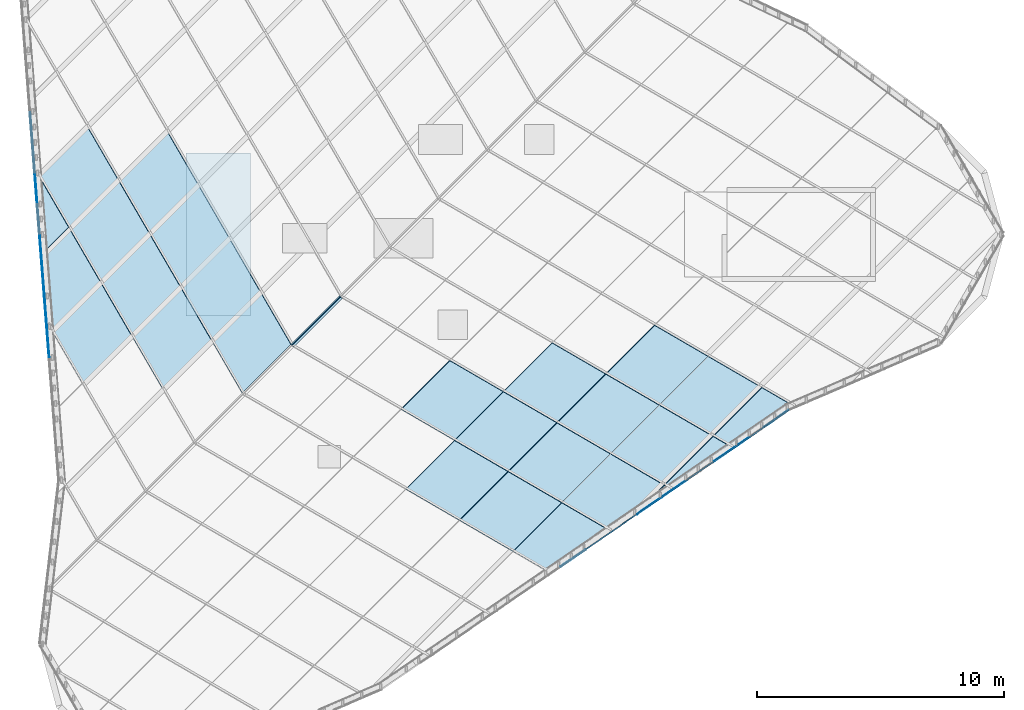
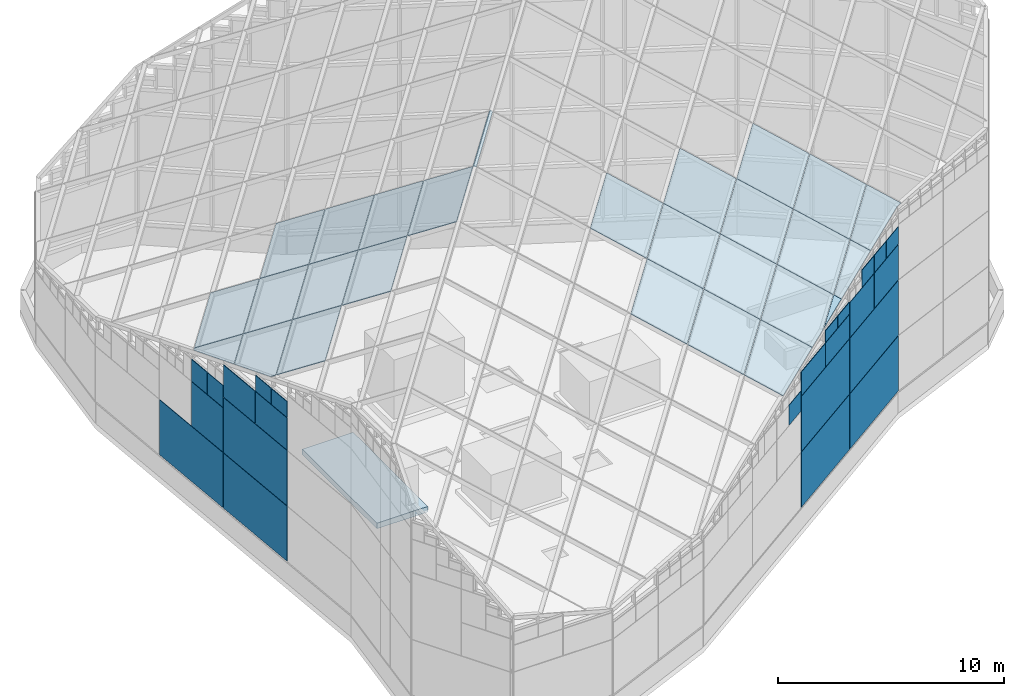
# One storey, part 16 of 29: 52 plates, 1 slab, 1 element without a shape of its own.
"""IFC4 building model written with IfcOpenShell, lengths in metres."""

from ifc_helpers import new_model, si_unit, direction, frame, origin, place, context, subcontext, project, spatial, polyline, outline, extrude, material, layer, layer_set, type_object, element, aggregate, save


model = new_model("IFC4")

# Units and contexts
model_context = context("Model", 3, precision=1e-05, world=origin(), true_north=direction((0.0, 1.0)))
body_context = subcontext(model_context, "Body", "Model", "MODEL_VIEW")
ifc_project = project(units=[si_unit("LENGTHUNIT", "METRE"), si_unit("AREAUNIT", "SQUARE_METRE"), si_unit("VOLUMEUNIT", "CUBIC_METRE"), si_unit("PLANEANGLEUNIT", "RADIAN"), si_unit("MASSUNIT", "GRAM", prefix="KILO")], contexts=[model_context])

# Site, building, storey
site_placement = place(None, origin())
site = spatial("IfcSite", under=ifc_project, at=site_placement, CompositionType="ELEMENT")
building_placement = place(site_placement, origin())
building = spatial("IfcBuilding", under=site, at=building_placement, Name="Tanit Gate Tower", CompositionType="ELEMENT")
storey_placement = place(building_placement, frame((0.0, 0.0, 445.300048828125)))
storey = spatial("IfcBuildingStorey", under=building, at=storey_placement, Name="ROOF", CompositionType="ELEMENT", Elevation=445.300048828125)

# Slab
ifc_material_1 = material(Name="Concrete C30/37", Category="concrete")
ifc_layer_1 = layer(ifc_material_1, 0.300048828125)
ifc_layer_set_1 = layer_set([ifc_layer_1], Name="EQUIPMENT PLINTH 300 C30/37")
slab_type = type_object("IfcSlabType", Name="EQUIPMENT PLINTH 300 C30/37", PredefinedType="USERDEFINED", material=ifc_layer_set_1)
slab_placement = place(storey_placement, origin())
element("IfcSlab", 1, at=slab_placement, inside=storey, type_object=slab_type, Name="Cradle plinth", ObjectType="EQUIPMENT PLINTH", PredefinedType="USERDEFINED", context=body_context, shape_type="SweptSolid", body=[
    extrude(outline(polyline([(-8.800048828125, -3.300048828125), (-6.199951171875, -3.300048828125), (-6.199951171875, 3.300048828125), (-8.800048828125, 3.300048828125), (-8.800048828125, -3.300048828125)])), origin(), (0.0, 0.0, 1.0), 0.300048828125),
])

# Curtain wall, plates
ifc_material_2 = material(Name="Aluminium bronze anodised and glass", Category="aluminium")
curtain_wall_type = type_object("IfcCurtainWallType", Name="Curtain wall crown roof", PredefinedType="NOTDEFINED", material=ifc_material_2)
curtain_wall_placement = place(storey_placement, origin())
curtain_wall = element("IfcCurtainWall", 2, at=curtain_wall_placement, inside=storey, type_object=curtain_wall_type, Name="Crown lantern", PredefinedType="NOTDEFINED")
ifc_material_3 = material(Name="Glass tinted laminated safety", Category="glass")
ifc_layer_2 = layer(ifc_material_3, 0.033935546875)
ifc_layer_set_2 = layer_set([ifc_layer_2], Name="Glass panel 34 crown roof")
plate_type = type_object("IfcPlateType", Name="Glass panel 34 crown roof", PredefinedType="CURTAIN_PANEL", material=ifc_layer_set_2)
plate_1_placement = place(storey_placement, frame((-15.13427734375, 4.94873046875, 1.21484375), z_axis=(-0.996969360994, -0.077795200619, 0.0), x_axis=(0.077795200619, -0.996969360994, 0.0)))
plate_1 = element("IfcPlate", 3, at=plate_1_placement, type_object=plate_type, Name="Lantern clerestory glass 15.1.1", PredefinedType="CURTAIN_PANEL", context=body_context, shape_type="SweptSolid", body=[
    extrude(outline(polyline([(0.0, 0.0), (4.961569930487475, 0.0), (4.961569930487475, 2.9702148437500004), (0.0, 2.9702148437500004), (0.0, 0.0)])), origin(), (0.0, 0.0, -1.0), 0.033935546875),
])
plate_2_placement = place(storey_placement, frame((-14.940185546875, 2.46044921875, 4.21484375), z_axis=(-0.996967064804, -0.077824621406, 0.0), x_axis=(0.077824621406, -0.996967064804, 0.0)))
plate_2 = element("IfcPlate", 4, at=plate_2_placement, type_object=plate_type, Name="Lantern clerestory glass 15.2.6", PredefinedType="CURTAIN_PANEL", context=body_context, shape_type="SweptSolid", body=[
    extrude(outline(polyline([(0.0, 0.0), (2.465730353499047, 0.0), (2.465730353499047, 2.384521484375), (0.0, 2.384521484375), (0.0, 0.0)])), origin(), (0.0, 0.0, -1.0), 0.033935546875),
])
plate_3_placement = place(storey_placement, frame((-14.940185546875, 2.46044921875, 6.62939453125), z_axis=(-0.996954596423, -0.077984182186, 0.0), x_axis=(0.077984182186, -0.996954596423, 0.0)))
plate_3 = element("IfcPlate", 5, at=plate_3_placement, type_object=plate_type, Name="Lantern clerestory glass 15.2.7", PredefinedType="CURTAIN_PANEL", context=body_context, shape_type="SweptSolid", body=[
    extrude(outline(polyline([(0.0, 0.0), (1.2178200817581835, 0.0), (1.2178200817581835, 1.1772460937499998), (0.0, 1.1772460937499998), (0.0, 0.0)])), origin(), (0.0, 0.0, -1.0), 0.033935546875),
])
plate_4_placement = place(storey_placement, frame((-14.843017578125, 1.21630859375, 6.62939453125), z_axis=(-0.996970162903, -0.077784923227, 0.0), x_axis=(0.077784923227, -0.996970162903, 0.0)))
plate_4 = element("IfcPlate", 6, at=plate_4_placement, type_object=plate_type, Name="Lantern clerestory glass 15.2.8", PredefinedType="CURTAIN_PANEL", context=body_context, shape_type="SweptSolid", body=[
    extrude(outline(polyline([(0.0, 0.0), (1.217801066974618, 0.0), (1.217801066974618, 1.17724609375), (0.0, 1.17724609375), (0.0, 0.0)])), origin(), (0.0, 0.0, -1.0), 0.033935546875),
])
plate_5_placement = place(storey_placement, frame((-14.745849609375, -0.02783203125, 1.21484375), z_axis=(-0.996965245198, -0.077847927833, 0.0), x_axis=(0.077847927833, -0.996965245198, 0.0)))
plate_5 = element("IfcPlate", 7, at=plate_5_placement, type_object=plate_type, Name="Lantern clerestory glass 16.1.1", PredefinedType="CURTAIN_PANEL", context=body_context, shape_type="SweptSolid", body=[
    extrude(outline(polyline([(0.0, 0.0), (4.961345529672165, 0.0), (4.961345529672165, 2.9702148437500004), (0.0, 2.9702148437500004), (0.0, 0.0)])), origin(), (0.0, 0.0, -1.0), 0.033935546875),
])
plate_6_placement = place(storey_placement, frame((-14.745849609375, -0.02783203125, 4.21484375), z_axis=(-0.996965245198, -0.077847927833, 0.0), x_axis=(0.077847927833, -0.996965245198, 0.0)))
plate_6 = element("IfcPlate", 8, at=plate_6_placement, type_object=plate_type, Name="Lantern clerestory glass 16.2.1", PredefinedType="CURTAIN_PANEL", context=body_context, shape_type="SweptSolid", body=[
    extrude(outline(polyline([(0.0, 0.0), (4.961345529672165, 0.0), (4.961345529672165, 2.9702148437500004), (0.0, 2.9702148437500004), (0.0, 0.0)])), origin(), (0.0, 0.0, -1.0), 0.033935546875),
])
plate_7_placement = place(storey_placement, frame((-14.745849609375, -0.02783203125, 7.21484375), z_axis=(-0.996967064804, -0.077824621406, 0.0), x_axis=(0.077824621406, -0.996967064804, 0.0)))
plate_7 = element("IfcPlate", 9, at=plate_7_placement, type_object=plate_type, Name="Lantern clerestory glass 16.3.1", PredefinedType="CURTAIN_PANEL", context=body_context, shape_type="SweptSolid", body=[
    extrude(outline(polyline([(0.0, 0.0), (2.465730353499047, 0.0), (2.465730353499047, 1.731201171875), (0.0, 1.731201171875), (0.0, 0.0)])), origin(), (0.0, 0.0, -1.0), 0.033935546875),
])
plate_8_placement = place(storey_placement, frame((-14.551513671875, -2.515869140625, 7.21484375), z_axis=(-0.996967064804, -0.077824621406, 0.0), x_axis=(0.077824621406, -0.996967064804, 0.0)))
plate_8 = element("IfcPlate", 10, at=plate_8_placement, type_object=plate_type, Name="Lantern clerestory glass 16.3.2", PredefinedType="CURTAIN_PANEL", context=body_context, shape_type="SweptSolid", body=[
    extrude(outline(polyline([(0.0, 0.0), (2.465730353499047, 0.0), (2.465730353499047, 1.731201171875), (0.0, 1.731201171875), (0.0, 0.0)])), origin(), (0.0, 0.0, -1.0), 0.033935546875),
])
plate_9_placement = place(storey_placement, frame((-14.551513671875, -2.515869140625, 8.97607421875), z_axis=(-0.996971375522, -0.077769379514, 0.0), x_axis=(0.077769379514, -0.996971375522, 0.0)))
plate_9 = element("IfcPlate", 11, at=plate_9_placement, type_object=plate_type, Name="Lantern clerestory glass 16.3.3", PredefinedType="CURTAIN_PANEL", context=body_context, shape_type="SweptSolid", body=[
    extrude(outline(polyline([(0.0, 0.0), (1.218044468041335, 0.0), (1.218044468041335, 0.8505859375), (0.0, 0.8505859375), (0.0, 0.0)])), origin(), (0.0, 0.0, -1.0), 0.033935546875),
])
plate_10_placement = place(storey_placement, frame((-14.454345703125, -3.760009765625, 8.97607421875), z_axis=(-0.996970162903, -0.077784923227, 0.0), x_axis=(0.077784923227, -0.996970162903, 0.0)))
plate_10 = element("IfcPlate", 12, at=plate_10_placement, type_object=plate_type, Name="Lantern clerestory glass 16.3.4", PredefinedType="CURTAIN_PANEL", context=body_context, shape_type="SweptSolid", body=[
    extrude(outline(polyline([(0.0, 0.0), (1.217801066974618, 0.0), (1.217801066974618, 0.8505859375000002), (0.0, 0.8505859375000002), (0.0, 0.0)])), origin(), (0.0, 0.0, -1.0), 0.033935546875),
])
plate_11_placement = place(storey_placement, frame((6.3681640625, -13.462646484375, 6.4345703125), z_axis=(0.565890593096, -0.824480343395, 0.0), x_axis=(0.824480343395, 0.565890593096, 0.0)))
plate_11 = element("IfcPlate", 13, at=plate_11_placement, type_object=plate_type, Name="Lantern clerestory glass 26.2.8", PredefinedType="CURTAIN_PANEL", context=body_context, shape_type="SweptSolid", body=[
    extrude(outline(polyline([(0.0, 0.0), (1.2179191398182225, 0.0), (1.2179191398182225, 1.079833984375), (0.0, 1.079833984375), (0.0, 0.0)])), origin(), (0.0, 0.0, -1.0), 0.033935546875),
])
plate_12_placement = place(storey_placement, frame((7.39697265625, -12.75634765625, 1.21484375), z_axis=(0.565891691017, -0.824479589825, 0.0), x_axis=(0.824479589825, 0.565891691017, 0.0)))
plate_12 = element("IfcPlate", 14, at=plate_12_placement, type_object=plate_type, Name="Lantern clerestory glass 27.1.1", PredefinedType="CURTAIN_PANEL", context=body_context, shape_type="SweptSolid", body=[
    extrude(outline(polyline([(0.0, 0.0), (4.961403802297989, 0.0), (4.961403802297989, 2.97021484375), (0.0, 2.97021484375), (0.0, 0.0)])), origin(), (0.0, 0.0, -1.0), 0.033935546875),
])
plate_13_placement = place(storey_placement, frame((7.39697265625, -12.75634765625, 4.21484375), z_axis=(0.565891691017, -0.824479589825, 0.0), x_axis=(0.824479589825, 0.565891691017, 0.0)))
plate_13 = element("IfcPlate", 15, at=plate_13_placement, type_object=plate_type, Name="Lantern clerestory glass 27.2.1", PredefinedType="CURTAIN_PANEL", context=body_context, shape_type="SweptSolid", body=[
    extrude(outline(polyline([(0.0, 0.0), (4.961403802297989, 0.0), (4.961403802297989, 2.97021484375), (0.0, 2.97021484375), (0.0, 0.0)])), origin(), (0.0, 0.0, -1.0), 0.033935546875),
])
plate_14_placement = place(storey_placement, frame((7.39697265625, -12.75634765625, 7.21484375), z_axis=(0.565868893636, -0.824495236624, 0.0), x_axis=(0.824495236624, 0.565868893636, 0.0)))
plate_14 = element("IfcPlate", 16, at=plate_14_placement, type_object=plate_type, Name="Lantern clerestory glass 27.3.1", PredefinedType="CURTAIN_PANEL", context=body_context, shape_type="SweptSolid", body=[
    extrude(outline(polyline([(0.0, 0.0), (2.4657013092029496, 0.0), (2.4657013092029496, 1.294189453125), (0.0, 1.294189453125), (0.0, 0.0)])), origin(), (0.0, 0.0, -1.0), 0.033935546875),
])
plate_15_placement = place(storey_placement, frame((9.45458984375, -11.343994140625, 7.21484375), z_axis=(0.565868893636, -0.824495236624, 0.0), x_axis=(0.824495236624, 0.565868893636, 0.0)))
plate_15 = element("IfcPlate", 17, at=plate_15_placement, type_object=plate_type, Name="Lantern clerestory glass 27.3.2", PredefinedType="CURTAIN_PANEL", context=body_context, shape_type="SweptSolid", body=[
    extrude(outline(polyline([(0.0, 0.0), (2.4657013092029496, 0.0), (2.4657013092029496, 1.294189453125), (0.0, 1.294189453125), (0.0, 0.0)])), origin(), (0.0, 0.0, -1.0), 0.033935546875),
])
plate_16_placement = place(storey_placement, frame((9.45458984375, -11.343994140625, 8.5390625), z_axis=(0.565890593096, -0.824480343395, 0.0), x_axis=(0.824480343395, 0.565890593096, 0.0)))
plate_16 = element("IfcPlate", 18, at=plate_16_placement, type_object=plate_type, Name="Lantern clerestory glass 27.3.3", PredefinedType="CURTAIN_PANEL", context=body_context, shape_type="SweptSolid", body=[
    extrude(outline(polyline([(0.0, 0.0), (1.2179191398182225, 0.0), (1.2179191398182225, 0.632080078125), (0.0, 0.632080078125), (0.0, 0.0)])), origin(), (0.0, 0.0, -1.0), 0.033935546875),
])
plate_17_placement = place(storey_placement, frame((10.4833984375, -10.637939453125, 8.5390625), z_axis=(0.565890593096, -0.824480343395, 0.0), x_axis=(0.824480343395, 0.565890593096, 0.0)))
plate_17 = element("IfcPlate", 19, at=plate_17_placement, type_object=plate_type, Name="Lantern clerestory glass 27.3.4", PredefinedType="CURTAIN_PANEL", context=body_context, shape_type="SweptSolid", body=[
    extrude(outline(polyline([(0.0, 0.0), (1.2179191398182225, 0.0), (1.2179191398182225, 0.632080078125), (0.0, 0.632080078125), (0.0, 0.0)])), origin(), (0.0, 0.0, -1.0), 0.033935546875),
])
plate_18_placement = place(storey_placement, frame((11.512451171875, -9.931640625, 1.21484375), z_axis=(0.565891691017, -0.824479589825, 0.0), x_axis=(0.824479589825, 0.565891691017, 0.0)))
plate_18 = element("IfcPlate", 20, at=plate_18_placement, type_object=plate_type, Name="Lantern clerestory glass 28.1.1", PredefinedType="CURTAIN_PANEL", context=body_context, shape_type="SweptSolid", body=[
    extrude(outline(polyline([(0.0, 0.0), (4.961403802297989, 0.0), (4.961403802297989, 2.97021484375), (0.0, 2.97021484375), (0.0, 0.0)])), origin(), (0.0, 0.0, -1.0), 0.033935546875),
])
plate_19_placement = place(storey_placement, frame((11.512451171875, -9.931640625, 4.21484375), z_axis=(0.565891691017, -0.824479589825, 0.0), x_axis=(0.824479589825, 0.565891691017, 0.0)))
plate_19 = element("IfcPlate", 21, at=plate_19_placement, type_object=plate_type, Name="Lantern clerestory glass 28.2.1", PredefinedType="CURTAIN_PANEL", context=body_context, shape_type="SweptSolid", body=[
    extrude(outline(polyline([(0.0, 0.0), (4.961403802297989, 0.0), (4.961403802297989, 2.97021484375), (0.0, 2.97021484375), (0.0, 0.0)])), origin(), (0.0, 0.0, -1.0), 0.033935546875),
])
plate_20_placement = place(storey_placement, frame((11.512451171875, -9.931640625, 7.21484375), z_axis=(0.565868893636, -0.824495236624, 0.0), x_axis=(0.824495236624, 0.565868893636, 0.0)))
plate_20 = element("IfcPlate", 22, at=plate_20_placement, type_object=plate_type, Name="Lantern clerestory glass 28.3.1", PredefinedType="CURTAIN_PANEL", context=body_context, shape_type="SweptSolid", body=[
    extrude(outline(polyline([(0.0, 0.0), (2.4657013092029496, 0.0), (2.4657013092029496, 1.898681640625), (0.0, 1.898681640625), (0.0, 0.0)])), origin(), (0.0, 0.0, -1.0), 0.033935546875),
])
plate_21_placement = place(storey_placement, frame((12.541259765625, -9.2255859375, 9.143310546875), z_axis=(0.565890593096, -0.824480343395, 0.0), x_axis=(0.824480343395, 0.565890593096, 0.0)))
plate_21 = element("IfcPlate", 23, at=plate_21_placement, type_object=plate_type, Name="Lantern clerestory glass 28.3.4", PredefinedType="CURTAIN_PANEL", context=body_context, shape_type="SweptSolid", body=[
    extrude(outline(polyline([(0.0, 0.0), (1.2179191398182225, 0.0), (1.2179191398182225, 0.934326171875), (0.0, 0.934326171875), (0.0, 0.0)])), origin(), (0.0, 0.0, -1.0), 0.033935546875),
])
plate_22_placement = place(storey_placement, frame((13.570068359375, -8.519287109375, 7.21484375), z_axis=(0.565868893636, -0.824495236624, 0.0), x_axis=(0.824495236624, 0.565868893636, 0.0)))
plate_22 = element("IfcPlate", 24, at=plate_22_placement, type_object=plate_type, Name="Lantern clerestory glass 28.3.5", PredefinedType="CURTAIN_PANEL", context=body_context, shape_type="SweptSolid", body=[
    extrude(outline(polyline([(0.0, 0.0), (2.4657013092029496, 0.0), (2.4657013092029496, 1.898681640625), (0.0, 1.898681640625), (0.0, 0.0)])), origin(), (0.0, 0.0, -1.0), 0.033935546875),
])
plate_23_placement = place(storey_placement, frame((13.570068359375, -8.519287109375, 9.143310546875), z_axis=(0.565754305571, -0.824573869176, 0.0), x_axis=(0.824573869176, 0.565754305571, 0.0)))
plate_23 = element("IfcPlate", 25, at=plate_23_placement, type_object=plate_type, Name="Lantern clerestory glass 28.3.6", PredefinedType="CURTAIN_PANEL", context=body_context, shape_type="SweptSolid", body=[
    extrude(outline(polyline([(0.0, 0.0), (1.2177809995708597, 0.0), (1.2177809995708597, 0.934326171875), (0.0, 0.934326171875), (0.0, 0.0)])), origin(), (0.0, 0.0, -1.0), 0.033935546875),
])
plate_24_placement = place(storey_placement, frame((14.598876953125, -7.813232421875, 9.143310546875), z_axis=(0.565890593096, -0.824480343395, 0.0), x_axis=(0.824480343395, 0.565890593096, 0.0)))
plate_24 = element("IfcPlate", 26, at=plate_24_placement, type_object=plate_type, Name="Lantern clerestory glass 28.3.8", PredefinedType="CURTAIN_PANEL", context=body_context, shape_type="SweptSolid", body=[
    extrude(outline(polyline([(0.0, 0.0), (1.2179191398182225, 0.0), (1.2179191398182225, 0.934326171875), (0.0, 0.934326171875), (0.0, 0.0)])), origin(), (0.0, 0.0, -1.0), 0.033935546875),
])
plate_25_placement = place(storey_placement, frame((-12.28564453125, -1.897705078125, 11.65966796875), z_axis=(-0.624523527626, 0.207477333076, 0.752943238034), x_axis=(-0.658401276057, -0.658422446618, -0.364674706385)))
plate_25 = element("IfcPlate", 27, at=plate_25_placement, type_object=plate_type, Name="Lantern roof glass E3.3.1", PredefinedType="CURTAIN_PANEL", context=body_context, shape_type="SweptSolid", body=[
    extrude(outline(polyline([(0.0, 0.0), (2.996058347236651, -2.220446049250313e-16), (2.9958113607740295, 2.972125432136201), (-8.624396358436481e-05, 2.9720228703702274), (0.0, 0.0)])), origin(), (0.0, 0.0, -1.0), 0.033935546875),
])
plate_26_placement = place(storey_placement, frame((-14.27001953125, -3.85009765625, 10.552001953125), z_axis=(-0.62448333485, 0.207498711664, 0.752970682798), x_axis=(0.658432843163, 0.658411958609, 0.364636646273)))
plate_26 = element("IfcPlate", 28, at=plate_26_placement, type_object=plate_type, Name="Lantern roof glass E3.4.1", PredefinedType="CURTAIN_PANEL", context=body_context, shape_type="SweptSolid", body=[
    extrude(outline(polyline([(0.0, 0.0), (2.996058347262638, -1.1102230246251565e-16), (2.9961328534871594, 2.972199502047828), (1.3494655493236234, 2.9721207984994433), (0.00010255499084518838, 0.33836286051266706), (0.0, 0.0)])), origin(), (0.0, 0.0, -1.0), 0.033935546875),
])
plate_27_placement = place(storey_placement, frame((-14.632568359375, -0.78173828125, 9.40576171875), z_axis=(-0.624502649855, 0.207493067454, 0.752956218703), x_axis=(0.658435023045, 0.658389360546, 0.364673511991)))
plate_27 = element("IfcPlate", 29, at=plate_27_placement, type_object=plate_type, Name="Lantern roof glass E3.5.1", PredefinedType="CURTAIN_PANEL", context=body_context, shape_type="SweptSolid", body=[
    extrude(outline(polyline([(0.0, 0.0), (1.632670033373108, -1.1102230246251565e-16), (1.6324724598881426, 2.9720228646814086), (1.5223886469259882, 2.971953277721692), (0.0, 0.0)])), origin(), (0.0, 0.0, -1.0), 0.033935546875),
])
plate_28_placement = place(storey_placement, frame((-9.050048828125, -2.0927734375, 14.39697265625), z_axis=(-0.624516368041, 0.207465003444, 0.752952573802), x_axis=(-0.658401276421, -0.658422446243, -0.364674706403)))
plate_28 = element("IfcPlate", 30, at=plate_28_placement, type_object=plate_type, Name="Lantern roof glass E4.2.1", PredefinedType="CURTAIN_PANEL", context=body_context, shape_type="SweptSolid", body=[
    extrude(outline(polyline([(0.0, 0.0), (2.996058347236673, 0.0), (2.9959721071527383, 2.972302066367685), (7.450241519124656e-05, 2.972199502003347), (0.0, 0.0)])), origin(), (0.0, 0.0, -1.0), 0.033935546875),
])
plate_29_placement = place(storey_placement, frame((-10.310302734375, 0.07763671875, 12.753662109375), z_axis=(-0.624517550137, 0.207512645532, 0.752938464627), x_axis=(-0.658417167069, -0.658417167069, -0.364655547356)))
plate_29 = element("IfcPlate", 31, at=plate_29_placement, type_object=plate_type, Name="Lantern roof glass E4.3.1", PredefinedType="CURTAIN_PANEL", context=body_context, shape_type="SweptSolid", body=[
    extrude(outline(polyline([(0.0, 0.0), (2.9960583482065744, 0.0), (2.995972106182865, 2.9720228713480514), (-8.62420237096595e-05, 2.9720228713480514), (0.0, 0.0)])), origin(), (0.0, 0.0, -1.0), 0.033935546875),
])
plate_30_placement = place(storey_placement, frame((-11.57080078125, 2.248046875, 11.1103515625), z_axis=(-0.624523527626, 0.207477333076, 0.752943238034), x_axis=(-0.658386894178, -0.658447214126, -0.364655952624)))
plate_30 = element("IfcPlate", 32, at=plate_30_placement, type_object=plate_type, Name="Lantern roof glass E4.4.1", PredefinedType="CURTAIN_PANEL", context=body_context, shape_type="SweptSolid", body=[
    extrude(outline(polyline([(0.0, 0.0), (2.9958976064931675, 2.220446049250313e-16), (2.9959131069662384, 2.9720228715811463), (-0.00014523851476522243, 2.9721254388499303), (0.0, 0.0)])), origin(), (0.0, 0.0, -1.0), 0.033935546875),
])
plate_31_placement = place(storey_placement, frame((-12.8310546875, 4.418701171875, 9.467041015625), z_axis=(-0.62447719788, 0.207498138348, 0.752975930499), x_axis=(-0.658436325701, -0.658410801548, -0.364632446996)))
plate_31 = element("IfcPlate", 33, at=plate_31_placement, type_object=plate_type, Name="Lantern roof glass E4.5.1", PredefinedType="CURTAIN_PANEL", context=body_context, shape_type="SweptSolid", body=[
    extrude(outline(polyline([(0.0, 0.0), (2.9960583467966293, 0.0), (2.996132853971523, 2.972199501559653), (0.00016352876839831332, 2.972065764537141), (0.0, 0.0)])), origin(), (0.0, 0.0, -1.0), 0.033935546875),
])
plate_32_placement = place(storey_placement, frame((-6.533447265625, -6.419677734375, 17.676513671875), z_axis=(-0.62450875241, 0.207497493756, 0.752949937412), x_axis=(0.658417167069, 0.658417167069, 0.364655547356)))
plate_32 = element("IfcPlate", 34, at=plate_32_placement, type_object=plate_type, Name="Lantern roof glass E5.1.2", PredefinedType="CURTAIN_PANEL", context=body_context, shape_type="SweptSolid", body=[
    extrude(outline(polyline([(0.0, 0.0), (2.9960583482065744, -1.1102230246251565e-16), (2.995979566565538, 2.9841464479006596), (-7.878164103580776e-05, 2.9841464479006596), (0.0, 0.0)])), origin(), (0.0, 0.0, -1.0), 0.033935546875),
])
plate_33_placement = place(storey_placement, frame((-7.07470703125, -0.11767578125, 15.490966796875), z_axis=(-0.624517550137, 0.207512645532, 0.752938464627), x_axis=(-0.658417167069, -0.658417167069, -0.364655547356)))
plate_33 = element("IfcPlate", 35, at=plate_33_placement, type_object=plate_type, Name="Lantern roof glass E5.2.1", PredefinedType="CURTAIN_PANEL", context=body_context, shape_type="SweptSolid", body=[
    extrude(outline(polyline([(0.0, 0.0), (2.9960583482065744, 0.0), (2.995972106182865, 2.9720228713480514), (-8.62420237096595e-05, 2.9720228713480514), (0.0, 0.0)])), origin(), (0.0, 0.0, -1.0), 0.033935546875),
])
plate_34_placement = place(storey_placement, frame((-8.335205078125, 2.052734375, 13.84765625), z_axis=(-0.624514381981, 0.207476734284, 0.75295098873), x_axis=(-0.658416942415, -0.658402804012, -0.364681885498)))
plate_34 = element("IfcPlate", 36, at=plate_34_placement, type_object=plate_type, Name="Lantern roof glass E5.3.1", PredefinedType="CURTAIN_PANEL", context=body_context, shape_type="SweptSolid", body=[
    extrude(outline(polyline([(0.0, 0.0), (2.995736857662375, -3.3306690738754696e-16), (2.9957378732484043, 2.9721995034786395), (-0.0003204736098757488, 2.972125425662594), (0.0, 0.0)])), origin(), (0.0, 0.0, -1.0), 0.033935546875),
])
plate_35_placement = place(storey_placement, frame((-9.595458984375, 4.223388671875, 12.204345703125), z_axis=(-0.624508403024, 0.207512046121, 0.752946216716), x_axis=(-0.658422447183, -0.658415412621, -0.364649181363)))
plate_35 = element("IfcPlate", 37, at=plate_35_placement, type_object=plate_type, Name="Lantern roof glass E5.4.1", PredefinedType="CURTAIN_PANEL", context=body_context, shape_type="SweptSolid", body=[
    extrude(outline(polyline([(0.0, 0.0), (2.9960583480994902, -2.220446049250313e-16), (2.9959721062899467, 2.9720228712401067), (7.45041408032332e-05, 2.972199502873047), (0.0, 0.0)])), origin(), (0.0, 0.0, -1.0), 0.033935546875),
])
plate_36_placement = place(storey_placement, frame((-2.583984375, -2.474609375, 19.865234375), z_axis=(-0.624483772663, 0.207408873625, 0.752995070915), x_axis=(-0.658386892155, -0.658447216204, -0.364655952524)))
plate_36 = element("IfcPlate", 38, at=plate_36_placement, type_object=plate_type, Name="Lantern roof glass E6.1.1", PredefinedType="CURTAIN_PANEL", context=body_context, shape_type="SweptSolid", body=[
    extrude(outline(polyline([(0.0, 0.0), (2.9958976064932905, 1.1102230246251565e-16), (2.99597151992278, 0.058333677201745426), (-8.682555785304719e-05, 0.05843625889800637), (0.0, 0.0)])), origin(), (0.0, 0.0, -1.0), 0.033935546875),
])
plate_37_placement = place(storey_placement, frame((2.250732421875, -11.568115234375, 11.11181640625), z_axis=(0.207512046121, -0.624508403024, 0.752946216716), x_axis=(0.658415412621, 0.658422447183, 0.364649181363)))
plate_37 = element("IfcPlate", 39, at=plate_37_placement, type_object=plate_type, Name="Lantern roof glass W7.4.1", PredefinedType="CURTAIN_PANEL", context=body_context, shape_type="SweptSolid", body=[
    extrude(outline(polyline([(0.0, 0.0), (2.9960583480994902, 2.220446049250313e-16), (2.9959838439586868, 2.9721995028730475), (8.624180954375227e-05, 2.9720228712401067), (0.0, 0.0)])), origin(), (0.0, 0.0, -1.0), 0.033935546875),
])
plate_38_placement = place(storey_placement, frame((4.421142578125, -12.828369140625, 9.468505859375), z_axis=(0.207467895005, -0.624491565552, 0.752972348162), x_axis=(0.658417167069, 0.658417167069, 0.364655547356)))
plate_38 = element("IfcPlate", 40, at=plate_38_placement, type_object=plate_type, Name="Lantern roof glass W7.5.1", PredefinedType="CURTAIN_PANEL", context=body_context, shape_type="SweptSolid", body=[
    extrude(outline(polyline([(0.0, 0.0), (2.9960583482065744, 1.1102230246251565e-16), (2.996055562997043, 2.971889131192225), (-2.7852095315639147e-06, 2.9718891311922246), (0.0, 0.0)])), origin(), (0.0, 0.0, -1.0), 0.033935546875),
])
plate_39_placement = place(storey_placement, frame((6.4140625, -10.867431640625, 10.545654296875), z_axis=(0.207419452427, -0.624482795234, 0.752992967571), x_axis=(-0.658421025582, -0.658405550607, -0.36466955453)))
plate_39 = element("IfcPlate", 41, at=plate_39_placement, type_object=plate_type, Name="Lantern roof glass W7.6.1", PredefinedType="CURTAIN_PANEL", context=body_context, shape_type="SweptSolid", body=[
    extrude(outline(polyline([(0.0, 0.0), (2.9960583476882094, 1.1102230246251565e-16), (2.995999361965921, 2.0543073569331947), (2.2777998371581454e-05, 2.729233206421505), (0.0, 0.0)])), origin(), (0.0, 0.0, -1.0), 0.033935546875),
])
plate_40_placement = place(storey_placement, frame((-2.570556640625, -2.528076171875, 19.937744140625), z_axis=(0.206653723736, -0.624044951589, 0.753566279011), x_axis=(-0.658422421631, -0.658401300402, -0.364674707545)))
plate_40 = element("IfcPlate", 42, at=plate_40_placement, type_object=plate_type, Name="Lantern roof glass W8.1.1", PredefinedType="CURTAIN_PANEL", context=body_context, shape_type="SweptSolid", body=[
    extrude(outline(polyline([(0.0, 0.0), (2.996058347238137, 1.1102230246251565e-16), (2.995976284965573, 0.1325217688106507), (7.868023241717689e-05, 0.1326245040518663), (0.0, 0.0)])), origin(), (0.0, 0.0, -1.0), 0.033935546875),
])
plate_41_placement = place(storey_placement, frame((2.055419921875, -8.33251953125, 13.84912109375), z_axis=(0.207512645532, -0.624517550137, 0.752938464627), x_axis=(0.658417167069, 0.658417167069, 0.364655547356)))
plate_41 = element("IfcPlate", 43, at=plate_41_placement, type_object=plate_type, Name="Lantern roof glass W8.3.1", PredefinedType="CURTAIN_PANEL", context=body_context, shape_type="SweptSolid", body=[
    extrude(outline(polyline([(0.0, 0.0), (2.9960583482065744, 0.0), (2.996144590230284, 2.9720228713480514), (8.62420237096595e-05, 2.9720228713480514), (0.0, 0.0)])), origin(), (0.0, 0.0, -1.0), 0.033935546875),
])
plate_42_placement = place(storey_placement, frame((4.22607421875, -9.5927734375, 12.205810546875), z_axis=(0.207509870865, -0.624475211323, 0.752974344807), x_axis=(0.65836639006, 0.658466372905, 0.36465837738)))
plate_42 = element("IfcPlate", 44, at=plate_42_placement, type_object=plate_type, Name="Lantern roof glass W8.4.1", PredefinedType="CURTAIN_PANEL", context=body_context, shape_type="SweptSolid", body=[
    extrude(outline(polyline([(0.0, 0.0), (2.9958976067232035, 3.3306690738754696e-16), (2.996070041818673, 2.9718891254450943), (0.00010072903768654218, 2.9721995014620766), (0.0, 0.0)])), origin(), (0.0, 0.0, -1.0), 0.033935546875),
])
plate_43_placement = place(storey_placement, frame((6.396484375, -10.85302734375, 10.5625), z_axis=(0.207431984172, -0.624488397368, 0.752984869367), x_axis=(0.65844546253, 0.658392170723, 0.364649588515)))
plate_43 = element("IfcPlate", 45, at=plate_43_placement, type_object=plate_type, Name="Lantern roof glass W8.5.1", PredefinedType="CURTAIN_PANEL", context=body_context, shape_type="SweptSolid", body=[
    extrude(outline(polyline([(0.0, 0.0), (2.995897605741961, 1.1102230246251565e-16), (2.9957930587458526, 2.972168336180223), (-0.00010453398541310222, 2.9718891276199906), (0.0, 0.0)])), origin(), (0.0, 0.0, -1.0), 0.033935546875),
])
plate_44_placement = place(storey_placement, frame((8.389404296875, -8.892333984375, 11.6396484375), z_axis=(0.207471289384, -0.624479487943, 0.752981429532), x_axis=(-0.658414366558, -0.658425596725, -0.364645383198)))
plate_44 = element("IfcPlate", 46, at=plate_44_placement, type_object=plate_type, Name="Lantern roof glass W8.6.1", PredefinedType="CURTAIN_PANEL", context=body_context, shape_type="SweptSolid", body=[
    extrude(outline(polyline([(0.0, 0.0), (2.996058347933615, -1.1102230246251565e-16), (2.9960984358346323, 2.7299565056299566), (1.92221285531095, 2.9718772142979226), (-2.785514123915256e-06, 2.9718891311065603), (0.0, 0.0)])), origin(), (0.0, 0.0, -1.0), 0.033935546875),
])
plate_45_placement = place(storey_placement, frame((10.559814453125, -10.152587890625, 9.996337890625), z_axis=(0.207291090189, -0.624300629222, 0.75317934669), x_axis=(-0.658358292552, -0.658494092529, -0.364622940491)))
plate_45 = element("IfcPlate", 47, at=plate_45_placement, type_object=plate_type, Name="Lantern roof glass W8.7.1", PredefinedType="CURTAIN_PANEL", context=body_context, shape_type="SweptSolid", body=[
    extrude(outline(polyline([(0.0, 0.0), (1.7977957646933584, -1.6653345369377348e-16), (4.409520764706021e-06, 0.40488151993009514), (0.0, 0.0)])), origin(), (0.0, 0.0, -1.0), 0.033935546875),
])
plate_46_placement = place(storey_placement, frame((6.201171875, -7.61767578125, 13.2998046875), z_axis=(0.207432583406, -0.624497541638, 0.75297712039), x_axis=(0.658422445259, 0.658401277379, 0.36467470645)))
plate_46 = element("IfcPlate", 48, at=plate_46_placement, type_object=plate_type, Name="Lantern roof glass W9.4.1", PredefinedType="CURTAIN_PANEL", context=body_context, shape_type="SweptSolid", body=[
    extrude(outline(polyline([(0.0, 0.0), (2.996058347236732, 0.0), (2.9960555639668853, 2.971889130214496), (0.00015795922951322705, 2.971991701410875), (0.0, 0.0)])), origin(), (0.0, 0.0, -1.0), 0.033935546875),
])
plate_47_placement = place(storey_placement, frame((8.371826171875, -8.8779296875, 11.656494140625), z_axis=(0.207467295153, -0.624482419816, 0.75298009853), x_axis=(0.658372755719, 0.65844721454, 0.364681477719)))
plate_47 = element("IfcPlate", 49, at=plate_47_placement, type_object=plate_type, Name="Lantern roof glass W9.5.1", PredefinedType="CURTAIN_PANEL", context=body_context, shape_type="SweptSolid", body=[
    extrude(outline(polyline([(0.0, 0.0), (2.995897607356099, 1.1102230246251565e-16), (2.9960700411857406, 2.971889126083176), (1.169829357827723e-05, 2.972065770326376), (0.0, 0.0)])), origin(), (0.0, 0.0, -1.0), 0.033935546875),
])
plate_48_placement = place(storey_placement, frame((10.542236328125, -10.13818359375, 10.01318359375), z_axis=(0.207467295153, -0.624482419816, 0.75298009853), x_axis=(0.658415413377, 0.658422445825, 0.364649182449)))
plate_48 = element("IfcPlate", 50, at=plate_48_placement, type_object=plate_type, Name="Lantern roof glass W9.6.1", PredefinedType="CURTAIN_PANEL", context=body_context, shape_type="SweptSolid", body=[
    extrude(outline(polyline([(0.0, 0.0), (2.996058348099536, -2.220446049250313e-16), (2.9958948167253965, 2.972065765850422), (-2.7854236079871697e-06, 2.971889131084316), (0.0, 0.0)])), origin(), (0.0, 0.0, -1.0), 0.033935546875),
])
plate_49_placement = place(storey_placement, frame((12.53515625, -8.177490234375, 11.09033203125), z_axis=(0.207430528096, -0.624455647923, 0.753012430038), x_axis=(-0.658439105159, -0.658411312182, -0.364626505877)))
plate_49 = element("IfcPlate", 51, at=plate_49_placement, type_object=plate_type, Name="Lantern roof glass W9.7.1", PredefinedType="CURTAIN_PANEL", context=body_context, shape_type="SweptSolid", body=[
    extrude(outline(polyline([(0.0, 0.0), (2.9958976012215386, 0.0), (2.99588231412581, 0.40588401805077823), (-0.00018909856669480085, 1.080738432063057), (0.0, 0.0)])), origin(), (0.0, 0.0, -1.0), 0.033935546875),
])
plate_50_placement = place(storey_placement, frame((10.346923828125, -6.902587890625, 12.75048828125), z_axis=(0.207467895005, -0.624491565552, 0.752972348162), x_axis=(0.658417167069, 0.658417167069, 0.364655547356)))
plate_50 = element("IfcPlate", 52, at=plate_50_placement, type_object=plate_type, Name="Lantern roof glass W10.5.1", PredefinedType="CURTAIN_PANEL", context=body_context, shape_type="SweptSolid", body=[
    extrude(outline(polyline([(0.0, 0.0), (2.9960583482065744, 1.1102230246251565e-16), (2.996055562997043, 2.971889131192225), (-2.7852095315639147e-06, 2.9718891311922246), (0.0, 0.0)])), origin(), (0.0, 0.0, -1.0), 0.033935546875),
])
plate_51_placement = place(storey_placement, frame((12.517333984375, -8.1630859375, 11.107177734375), z_axis=(0.207432583406, -0.624497541638, 0.75297712039), x_axis=(0.658422445259, 0.658401277379, 0.36467470645)))
plate_51 = element("IfcPlate", 53, at=plate_51_placement, type_object=plate_type, Name="Lantern roof glass W10.6.1", PredefinedType="CURTAIN_PANEL", context=body_context, shape_type="SweptSolid", body=[
    extrude(outline(polyline([(0.0, 0.0), (2.996058347236732, 0.0), (2.9960555639668853, 2.971889130214496), (0.00015795922951322705, 2.971991701410875), (0.0, 0.0)])), origin(), (0.0, 0.0, -1.0), 0.033935546875),
])
plate_52_placement = place(storey_placement, frame((14.51025390625, -6.2021484375, 12.184326171875), z_axis=(0.207457485863, -0.624525042958, 0.752947449878), x_axis=(-0.658425045732, -0.658393451234, -0.364684140763)))
plate_52 = element("IfcPlate", 54, at=plate_52_placement, type_object=plate_type, Name="Lantern roof glass W10.7.1", PredefinedType="CURTAIN_PANEL", context=body_context, shape_type="SweptSolid", body=[
    extrude(outline(polyline([(0.0, 0.0), (2.9960583460462713, -1.1102230246251565e-16), (2.9959235622966593, 1.081740955077351), (0.2617134072363511, 1.6976398177217535), (-4.586317099131154e-05, 1.8315781876121986), (0.0, 0.0)])), origin(), (0.0, 0.0, -1.0), 0.033935546875),
])
aggregate(curtain_wall, [plate_1, plate_2, plate_3, plate_4, plate_5, plate_6, plate_7, plate_8, plate_9, plate_10, plate_11, plate_12, plate_13, plate_14, plate_15, plate_16, plate_17, plate_18, plate_19, plate_20, plate_21, plate_22, plate_23, plate_24, plate_25, plate_26, plate_27, plate_28, plate_29, plate_30, plate_31, plate_32, plate_33, plate_34, plate_35, plate_36, plate_37, plate_38, plate_39, plate_40, plate_41, plate_42, plate_43, plate_44, plate_45, plate_46, plate_47, plate_48, plate_49, plate_50, plate_51, plate_52])

save(model, "model.ifc")
